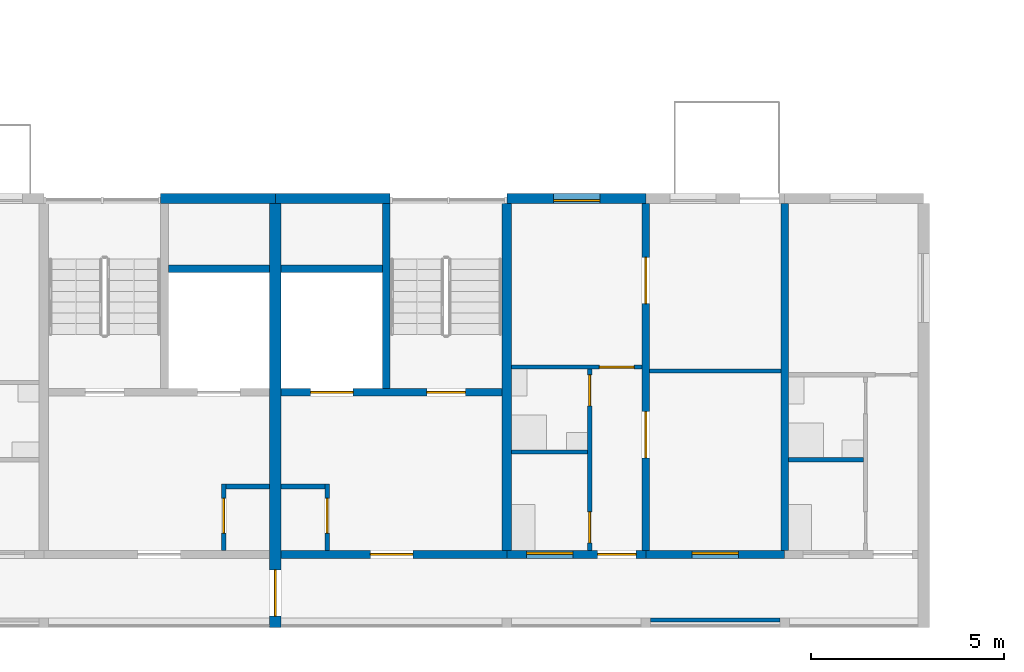
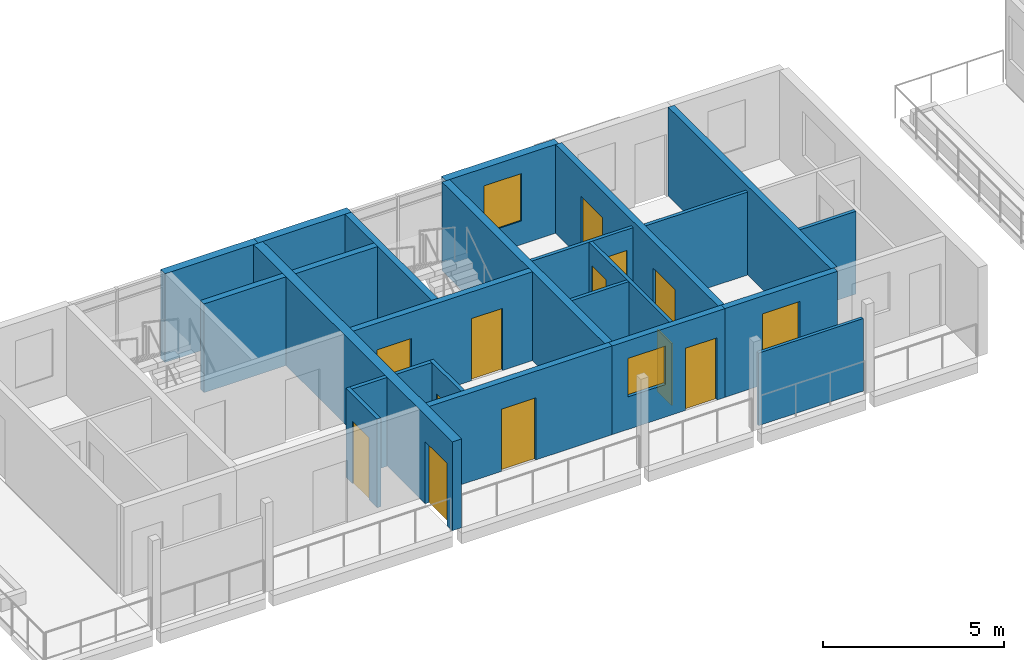
# One storey, part 25 of 64: 24 walls, 12 doors, 3 windows, 15 openings.
"""IFC4 building model written with IfcOpenShell, lengths in metres."""

from ifc_helpers import new_model, si_unit, direction, frame, frame_2d, origin, place, context, subcontext, project, spatial, rectangle, extrude, material, layer, layer_set, type_object, element, fill, save


model = new_model("IFC4")

# Units and contexts
model_context = context("Model", 3, precision=1e-05, world=origin(), true_north=direction((0.0, 1.0)))
body_context = subcontext(model_context, "Body", "Model", "MODEL_VIEW")
ifc_project = project(units=[si_unit("LENGTHUNIT", "METRE"), si_unit("AREAUNIT", "SQUARE_METRE"), si_unit("VOLUMEUNIT", "CUBIC_METRE"), si_unit("PLANEANGLEUNIT", "RADIAN"), si_unit("MASSUNIT", "GRAM", prefix="KILO")], contexts=[model_context])

# Site, building, storey
site_placement = place(None, origin())
site = spatial("IfcSite", under=ifc_project, at=site_placement, CompositionType="ELEMENT")
building_placement = place(site_placement, origin())
building = spatial("IfcBuilding", under=site, at=building_placement, Name="Ridgestep Commons", CompositionType="ELEMENT")
storey_placement = place(building_placement, frame((0.0, 0.0, 33.0)))
storey = spatial("IfcBuildingStorey", under=building, at=storey_placement, Name="L11", CompositionType="ELEMENT", Elevation=33.0)

# Wall
ifc_material_1 = material(Name="Concrete C30/37", Category="concrete")
ifc_layer_1 = layer(ifc_material_1, 0.25)
ifc_layer_set_1 = layer_set([ifc_layer_1], Name="Core cross wall 250")
wall_type_1 = type_object("IfcWallType", Name="Core cross wall 250", PredefinedType="SHEAR", material=ifc_layer_set_1)
wall_1_placement = place(storey_placement, frame((51.60009765625, 13.75, 0.0), z_axis=(0.0, 0.0, 1.0), x_axis=(0.0, 1.0, 0.0)))
element("IfcWall", 1, at=wall_1_placement, inside=storey, type_object=wall_type_1, Name="Cross wall A-11-0516", PredefinedType="SHEAR", context=body_context, shape_type="SweptSolid", body=[
    extrude(rectangle(XDim=9.0, YDim=0.25, at=frame_2d((4.5, 0.0))), origin(), (0.0, 0.0, 1.0), 3.0),
])

# Wall, opening, door
ifc_material_2 = material(Name="Concrete C30/37", Category="concrete")
ifc_layer_2 = layer(ifc_material_2, 0.199951171875)
ifc_layer_set_2 = layer_set([ifc_layer_2], Name="Core south wall 200")
wall_type_2 = type_object("IfcWallType", Name="Core south wall 200", PredefinedType="SHEAR", material=ifc_layer_set_2)
wall_2_placement = place(storey_placement, frame((45.75, 13.64990234375, 0.0), z_axis=(0.0, 0.0, 1.0), x_axis=(1.0, 0.0, 0.0)))
wall_2 = element("IfcWall", 2, at=wall_2_placement, inside=storey, type_object=wall_type_2, Name="Core south wall A3C L11", PredefinedType="SHEAR", context=body_context, shape_type="SweptSolid", body=[
    extrude(rectangle(XDim=5.85009765625, YDim=0.199951171875, at=frame_2d((2.925048828125, 0.0))), origin(), (0.0, 0.0, 1.0), 3.0),
])
opening_1_placement = place(wall_2_placement, frame((2.3125, 0.0, 0.0)))
opening_1 = element("IfcOpeningElement", 3, at=opening_1_placement, cuts=wall_2, Name="Opening A3C/11/1", PredefinedType="OPENING", context=body_context, shape_type="SweptSolid", body=[
    extrude(rectangle(XDim=1.10009765625, YDim=2.10009765625, at=frame_2d((0.550048828125, 1.050048828125))), frame((0.0, 0.10986328125, 0.0), z_axis=(0.0, -1.0, 0.0), x_axis=(1.0, 0.0, 0.0)), (0.0, 0.0, 1.0), 0.219970703125),
])
ifc_material_3 = material(Name="Steel fire door", Category="steel")
door_type_1 = type_object("IfcDoorType", Name="Lobby door 1100 x 2100 FD60", OperationType="NOTDEFINED", PredefinedType="DOOR", material=ifc_material_3)
door_1_placement = place(opening_1_placement, origin())
door_1 = element("IfcDoor", 4, at=door_1_placement, inside=storey, type_object=door_type_1, Name="Lobby door A3C/11/1", OperationType="SINGLE_SWING_LEFT", OverallHeight=2.10009765625, OverallWidth=1.10009765625, PredefinedType="DOOR", context=body_context, shape_type="SweptSolid", body=[
    extrude(rectangle(XDim=1.10009765625, YDim=2.10009765625, at=frame_2d((0.550048828125, 1.050048828125))), frame((0.0, 0.02490234375, 0.0), z_axis=(0.0, -1.0, 0.0), x_axis=(1.0, 0.0, 0.0)), (0.0, 0.0, 1.0), 0.050048828125),
])
fill(opening_1, door_1)

ifc_material_4 = material(Name="Concrete C30/37", Category="concrete")
ifc_layer_3 = layer(ifc_material_4, 0.1201171875)
ifc_layer_set_3 = layer_set([ifc_layer_3], Name="Core wall 120")
wall_type_3 = type_object("IfcWallType", Name="Core wall 120", PredefinedType="SHEAR", material=ifc_layer_set_3)
wall_3_placement = place(storey_placement, frame((44.260009765625, 13.75, 0.0), z_axis=(0.0, 0.0, 1.0), x_axis=(0.0, 1.0, 0.0)))
wall_3 = element("IfcWall", 5, at=wall_3_placement, inside=storey, type_object=wall_type_3, Name="Core riser w wall A2C L11", PredefinedType="SHEAR", context=body_context, shape_type="SweptSolid", body=[
    extrude(rectangle(XDim=1.719970703125, YDim=0.1201171875, at=frame_2d((0.85986328125, 0.0))), origin(), (0.0, 0.0, 1.0), 3.0),
])
opening_2_placement = place(wall_3_placement, frame((0.449951171875, 0.0, 0.0)))
opening_2 = element("IfcOpeningElement", 6, at=opening_2_placement, cuts=wall_3, Name="Opening A2C/11/4", PredefinedType="OPENING", context=body_context, shape_type="SweptSolid", body=[
    extrude(rectangle(XDim=0.89990234375, YDim=2.10009765625, at=frame_2d((0.449951171875, 1.050048828125))), frame((0.0, 0.070068359375, 0.0), z_axis=(0.0, -1.0, 0.0), x_axis=(1.0, 0.0, 0.0)), (0.0, 0.0, 1.0), 0.14013671875),
])
ifc_material_5 = material(Name="Steel fire door", Category="steel")
door_type_2 = type_object("IfcDoorType", Name="Riser door 900 x 2100 FD60", OperationType="NOTDEFINED", PredefinedType="DOOR", material=ifc_material_5)
door_2_placement = place(opening_2_placement, origin())
door_2 = element("IfcDoor", 7, at=door_2_placement, inside=storey, type_object=door_type_2, Name="Riser door A2C/11/4", OperationType="SINGLE_SWING_LEFT", OverallHeight=2.10009765625, OverallWidth=0.89990234375, PredefinedType="DOOR", context=body_context, shape_type="SweptSolid", body=[
    extrude(rectangle(XDim=0.89990234375, YDim=2.10009765625, at=frame_2d((0.449951171875, 1.050048828125))), frame((0.0, 0.02490234375, 0.0), z_axis=(0.0, -1.0, 0.0), x_axis=(1.0, 0.0, 0.0)), (0.0, 0.0, 1.0), 0.050048828125),
])
fill(opening_2, door_2)

# Wall
wall_4_placement = place(storey_placement, frame((44.320068359375, 15.409912109375, 0.0), z_axis=(0.0, 0.0, 1.0), x_axis=(1.0, 0.0, 0.0)))
element("IfcWall", 8, at=wall_4_placement, inside=storey, type_object=wall_type_3, Name="Core riser n wall A2C L11", PredefinedType="SHEAR", context=body_context, shape_type="SweptSolid", body=[
    extrude(rectangle(XDim=1.1298828125, YDim=0.1201171875, at=frame_2d((0.56494140625, 0.0))), origin(), (0.0, 0.0, 1.0), 3.0),
])

# Wall, opening, door
wall_5_placement = place(storey_placement, frame((46.93994140625, 13.75, 0.0), z_axis=(0.0, 0.0, 1.0), x_axis=(0.0, 1.0, 0.0)))
wall_5 = element("IfcWall", 9, at=wall_5_placement, inside=storey, type_object=wall_type_3, Name="Core riser w wall A3C L11", PredefinedType="SHEAR", context=body_context, shape_type="SweptSolid", body=[
    extrude(rectangle(XDim=1.719970703125, YDim=0.1201171875, at=frame_2d((0.85986328125, 0.0))), origin(), (0.0, 0.0, 1.0), 3.0),
])
opening_3_placement = place(wall_5_placement, frame((0.449951171875, 0.0, 0.0)))
opening_3 = element("IfcOpeningElement", 10, at=opening_3_placement, cuts=wall_5, Name="Opening A3C/11/4", PredefinedType="OPENING", context=body_context, shape_type="SweptSolid", body=[
    extrude(rectangle(XDim=0.89990234375, YDim=2.10009765625, at=frame_2d((0.449951171875, 1.050048828125))), frame((0.0, 0.070068359375, 0.0), z_axis=(0.0, -1.0, 0.0), x_axis=(1.0, 0.0, 0.0)), (0.0, 0.0, 1.0), 0.14013671875),
])
door_3_placement = place(opening_3_placement, origin())
door_3 = element("IfcDoor", 11, at=door_3_placement, inside=storey, type_object=door_type_2, Name="Riser door A3C/11/4", OperationType="SINGLE_SWING_RIGHT", OverallHeight=2.10009765625, OverallWidth=0.89990234375, PredefinedType="DOOR", context=body_context, shape_type="SweptSolid", body=[
    extrude(rectangle(XDim=0.89990234375, YDim=2.10009765625, at=frame_2d((0.449951171875, 1.050048828125))), frame((0.0, 0.02490234375, 0.0), z_axis=(0.0, -1.0, 0.0), x_axis=(1.0, 0.0, 0.0)), (0.0, 0.0, 1.0), 0.050048828125),
])
fill(opening_3, door_3)

# Walls
wall_6_placement = place(storey_placement, frame((45.75, 15.409912109375, 0.0), z_axis=(0.0, 0.0, 1.0), x_axis=(1.0, 0.0, 0.0)))
element("IfcWall", 12, at=wall_6_placement, inside=storey, type_object=wall_type_3, Name="Core riser n wall A3C L11", PredefinedType="SHEAR", context=body_context, shape_type="SweptSolid", body=[
    extrude(rectangle(XDim=1.1298828125, YDim=0.1201171875, at=frame_2d((0.56494140625, 0.0))), origin(), (0.0, 0.0, 1.0), 3.0),
])
ifc_material_6 = material(Name="Concrete C30/37", Category="concrete")
ifc_layer_4 = layer(ifc_material_6, 0.199951171875)
ifc_layer_set_4 = layer_set([ifc_layer_4], Name="Core wall 200")
wall_type_4 = type_object("IfcWallType", Name="Core wall 200", PredefinedType="SHEAR", material=ifc_layer_set_4)
wall_7_placement = place(storey_placement, frame((42.824951171875, 21.050048828125, 0.0), z_axis=(0.0, 0.0, 1.0), x_axis=(1.0, 0.0, 0.0)))
element("IfcWall", 13, at=wall_7_placement, inside=storey, type_object=wall_type_4, Name="Core duct wall A2C L11", PredefinedType="SHEAR", context=body_context, shape_type="SweptSolid", body=[
    extrude(rectangle(XDim=2.625, YDim=0.199951171875, at=frame_2d((1.3125, 0.0))), origin(), (0.0, 0.0, 1.0), 3.0),
])

# Wall, openings, doors
wall_8_placement = place(storey_placement, frame((45.75, 17.85009765625, 0.0), z_axis=(0.0, 0.0, 1.0), x_axis=(1.0, 0.0, 0.0)))
wall_8 = element("IfcWall", 14, at=wall_8_placement, inside=storey, type_object=wall_type_4, Name="Core lobby wall A3C L11", PredefinedType="SHEAR", context=body_context, shape_type="SweptSolid", body=[
    extrude(rectangle(XDim=5.72509765625, YDim=0.199951171875, at=frame_2d((2.862548828125, 0.0))), origin(), (0.0, 0.0, 1.0), 3.0),
])
opening_4_placement = place(wall_8_placement, frame((3.77490234375, 0.0, 0.0)))
opening_4 = element("IfcOpeningElement", 15, at=opening_4_placement, cuts=wall_8, Name="Opening A3C/11/2", PredefinedType="OPENING", context=body_context, shape_type="SweptSolid", body=[
    extrude(rectangle(XDim=1.0, YDim=2.10009765625, at=frame_2d((0.5, 1.050048828125))), frame((0.0, 0.10986328125, 0.0), z_axis=(0.0, -1.0, 0.0), x_axis=(1.0, 0.0, 0.0)), (0.0, 0.0, 1.0), 0.219970703125),
])
opening_5_placement = place(wall_8_placement, frame((0.762451171875, 0.0, 0.0)))
opening_5 = element("IfcOpeningElement", 16, at=opening_5_placement, cuts=wall_8, Name="Opening A3C/11/3", PredefinedType="OPENING", context=body_context, shape_type="SweptSolid", body=[
    extrude(rectangle(XDim=1.10009765625, YDim=2.10009765625, at=frame_2d((0.550048828125, 1.050048828125))), frame((0.0, 0.10986328125, 0.0), z_axis=(0.0, -1.0, 0.0), x_axis=(1.0, 0.0, 0.0)), (0.0, 0.0, 1.0), 0.219970703125),
])
ifc_material_7 = material(Name="Stainless steel", Category="steel")
door_type_3 = type_object("IfcDoorType", Name="Lift landing door 1100 x 2100 FD60", OperationType="DOUBLE_DOOR_SLIDING", PredefinedType="DOOR", material=ifc_material_7)
door_4_placement = place(opening_5_placement, origin())
door_4 = element("IfcDoor", 17, at=door_4_placement, inside=storey, type_object=door_type_3, Name="Landing door LD A3C L11", OperationType="DOUBLE_DOOR_SLIDING", OverallHeight=2.10009765625, OverallWidth=1.10009765625, PredefinedType="DOOR", context=body_context, shape_type="SweptSolid", body=[
    extrude(rectangle(XDim=1.10009765625, YDim=2.10009765625, at=frame_2d((0.550048828125, 1.050048828125))), frame((0.0, 0.02490234375, 0.0), z_axis=(0.0, -1.0, 0.0), x_axis=(1.0, 0.0, 0.0)), (0.0, 0.0, 1.0), 0.050048828125),
])
fill(opening_5, door_4)
ifc_material_8 = material(Name="Steel fire door", Category="steel")
door_type_4 = type_object("IfcDoorType", Name="Stair door 1000 x 2100 FD60", OperationType="NOTDEFINED", PredefinedType="DOOR", material=ifc_material_8)
door_5_placement = place(opening_4_placement, origin())
door_5 = element("IfcDoor", 18, at=door_5_placement, inside=storey, type_object=door_type_4, Name="Stair door A3C/11/2", OperationType="SINGLE_SWING_RIGHT", OverallHeight=2.10009765625, OverallWidth=1.0, PredefinedType="DOOR", context=body_context, shape_type="SweptSolid", body=[
    extrude(rectangle(XDim=1.0, YDim=2.10009765625, at=frame_2d((0.5, 1.050048828125))), frame((0.0, 0.02490234375, 0.0), z_axis=(0.0, -1.0, 0.0), x_axis=(1.0, 0.0, 0.0)), (0.0, 0.0, 1.0), 0.050048828125),
])
fill(opening_4, door_5)

# Walls
wall_9_placement = place(storey_placement, frame((48.47509765625, 17.949951171875, 0.0), z_axis=(0.0, 0.0, 1.0), x_axis=(0.0, 1.0, 0.0)))
element("IfcWall", 19, at=wall_9_placement, inside=storey, type_object=wall_type_4, Name="Core stair wall A3C L11", PredefinedType="SHEAR", context=body_context, shape_type="SweptSolid", body=[
    extrude(rectangle(XDim=4.800048828125, YDim=0.199951171875, at=frame_2d((2.39990234375, 0.0))), origin(), (0.0, 0.0, 1.0), 3.0),
])
wall_10_placement = place(storey_placement, frame((45.75, 21.050048828125, 0.0), z_axis=(0.0, 0.0, 1.0), x_axis=(1.0, 0.0, 0.0)))
element("IfcWall", 20, at=wall_10_placement, inside=storey, type_object=wall_type_4, Name="Core duct wall A3C L11", PredefinedType="SHEAR", context=body_context, shape_type="SweptSolid", body=[
    extrude(rectangle(XDim=2.625, YDim=0.199951171875, at=frame_2d((1.3125, 0.0))), origin(), (0.0, 0.0, 1.0), 3.0),
])

# Wall, openings, doors
ifc_material_9 = material(Name="Precast concrete C40/50", Category="concrete")
ifc_layer_5 = layer(ifc_material_9, 0.199951171875)
ifc_layer_set_5 = layer_set([ifc_layer_5], Name="Cross wall 200")
wall_type_5 = type_object("IfcWallType", Name="Cross wall 200", PredefinedType="SHEAR", material=ifc_layer_set_5)
wall_11_placement = place(storey_placement, frame((55.199951171875, 13.75, 0.0), z_axis=(0.0, 0.0, 1.0), x_axis=(0.0, 1.0, 0.0)))
wall_11 = element("IfcWall", 21, at=wall_11_placement, inside=storey, type_object=wall_type_5, Name="Cross wall A-11-0552", PredefinedType="SHEAR", context=body_context, shape_type="SweptSolid", body=[
    extrude(rectangle(XDim=9.0, YDim=0.199951171875, at=frame_2d((4.5, 0.0))), origin(), (0.0, 0.0, 1.0), 3.0),
])
opening_6_placement = place(wall_11_placement, frame((2.39990234375, 0.0, 0.0)))
opening_6 = element("IfcOpeningElement", 22, at=opening_6_placement, cuts=wall_11, Name="Opening A3-11b/5", PredefinedType="OPENING", context=body_context, shape_type="SweptSolid", body=[
    extrude(rectangle(XDim=1.199951171875, YDim=2.10009765625, at=frame_2d((0.60009765625, 1.050048828125))), frame((0.0, 0.10986328125, 0.0), z_axis=(0.0, -1.0, 0.0), x_axis=(1.0, 0.0, 0.0)), (0.0, 0.0, 1.0), 0.219970703125),
])
opening_7_placement = place(wall_11_placement, frame((6.39990234375, 0.0, 0.0)))
opening_7 = element("IfcOpeningElement", 23, at=opening_7_placement, cuts=wall_11, Name="Opening A3-11b/6", PredefinedType="OPENING", context=body_context, shape_type="SweptSolid", body=[
    extrude(rectangle(XDim=1.199951171875, YDim=2.10009765625, at=frame_2d((0.60009765625, 1.050048828125))), frame((0.0, 0.10986328125, 0.0), z_axis=(0.0, -1.0, 0.0), x_axis=(1.0, 0.0, 0.0)), (0.0, 0.0, 1.0), 0.219970703125),
])
ifc_material_10 = material(Name="Timber door leaf", Category="wood")
door_type_5 = type_object("IfcDoorType", Name="Double door 1200 x 2100", OperationType="DOUBLE_DOOR_SINGLE_SWING", PredefinedType="DOOR", material=ifc_material_10)
door_6_placement = place(opening_6_placement, origin())
door_6 = element("IfcDoor", 24, at=door_6_placement, inside=storey, type_object=door_type_5, Name="Double door A3-11b/5", OperationType="DOUBLE_DOOR_SINGLE_SWING", OverallHeight=2.10009765625, OverallWidth=1.199951171875, PredefinedType="DOOR", context=body_context, shape_type="SweptSolid", body=[
    extrude(rectangle(XDim=1.199951171875, YDim=2.10009765625, at=frame_2d((0.60009765625, 1.050048828125))), frame((0.0, 0.02490234375, 0.0), z_axis=(0.0, -1.0, 0.0), x_axis=(1.0, 0.0, 0.0)), (0.0, 0.0, 1.0), 0.050048828125),
])
fill(opening_6, door_6)
door_7_placement = place(opening_7_placement, origin())
door_7 = element("IfcDoor", 25, at=door_7_placement, inside=storey, type_object=door_type_5, Name="Double door A3-11b/6", OperationType="DOUBLE_DOOR_SINGLE_SWING", OverallHeight=2.10009765625, OverallWidth=1.199951171875, PredefinedType="DOOR", context=body_context, shape_type="SweptSolid", body=[
    extrude(rectangle(XDim=1.199951171875, YDim=2.10009765625, at=frame_2d((0.60009765625, 1.050048828125))), frame((0.0, 0.02490234375, 0.0), z_axis=(0.0, -1.0, 0.0), x_axis=(1.0, 0.0, 0.0)), (0.0, 0.0, 1.0), 0.050048828125),
])
fill(opening_7, door_7)

# Wall
wall_12_placement = place(storey_placement, frame((58.800048828125, 13.75, 0.0), z_axis=(0.0, 0.0, 1.0), x_axis=(0.0, 1.0, 0.0)))
element("IfcWall", 26, at=wall_12_placement, inside=storey, type_object=wall_type_5, Name="Cross wall A-11-0588", PredefinedType="SHEAR", context=body_context, shape_type="SweptSolid", body=[
    extrude(rectangle(XDim=9.0, YDim=0.199951171875, at=frame_2d((4.5, 0.0))), origin(), (0.0, 0.0, 1.0), 3.0),
])

# Wall, opening, door
ifc_material_11 = material(Name="Precast concrete C40/50", Category="concrete")
ifc_layer_6 = layer(ifc_material_11, 0.300048828125)
ifc_layer_set_6 = layer_set([ifc_layer_6], Name="Division wall 300")
wall_type_6 = type_object("IfcWallType", Name="Division wall 300", PredefinedType="SHEAR", material=ifc_layer_set_6)
wall_13_placement = place(storey_placement, frame((45.60009765625, 11.75, 0.0), z_axis=(0.0, 0.0, 1.0), x_axis=(0.0, 1.0, 0.0)))
wall_13 = element("IfcWall", 27, at=wall_13_placement, inside=storey, type_object=wall_type_6, Name="Cross wall A-11-0456", PredefinedType="SHEAR", context=body_context, shape_type="SweptSolid", body=[
    extrude(rectangle(XDim=11.0, YDim=0.300048828125, at=frame_2d((5.5, 0.0))), origin(), (0.0, 0.0, 1.0), 3.0),
])
opening_8_placement = place(wall_13_placement, frame((0.300048828125, 0.0, 0.0)))
opening_8 = element("IfcOpeningElement", 28, at=opening_8_placement, cuts=wall_13, Name="Opening A/11/G0456", PredefinedType="OPENING", context=body_context, shape_type="SweptSolid", body=[
    extrude(rectangle(XDim=1.199951171875, YDim=2.10009765625, at=frame_2d((0.60009765625, 1.050048828125))), frame((0.0, 0.159912109375, 0.0), z_axis=(0.0, -1.0, 0.0), x_axis=(1.0, 0.0, 0.0)), (0.0, 0.0, 1.0), 0.320068359375),
])
ifc_material_12 = material(Name="Steel fire door", Category="steel")
door_type_6 = type_object("IfcDoorType", Name="Division fire door 1200 x 2100 EI 240", OperationType="DOUBLE_DOOR_SINGLE_SWING", PredefinedType="DOOR", material=ifc_material_12)
door_8_placement = place(opening_8_placement, origin())
door_8 = element("IfcDoor", 29, at=door_8_placement, inside=storey, type_object=door_type_6, Name="Division fire door A/11/G0456", OperationType="DOUBLE_DOOR_SINGLE_SWING", OverallHeight=2.10009765625, OverallWidth=1.199951171875, PredefinedType="DOOR", context=body_context, shape_type="SweptSolid", body=[
    extrude(rectangle(XDim=1.199951171875, YDim=2.10009765625, at=frame_2d((0.60009765625, 1.050048828125))), frame((0.0, 0.02490234375, 0.0), z_axis=(0.0, -1.0, 0.0), x_axis=(1.0, 0.0, 0.0)), (0.0, 0.0, 1.0), 0.050048828125),
])
fill(opening_8, door_8)

# Walls
ifc_material_13 = material(Name="Precast concrete C40/50", Category="concrete")
ifc_layer_7 = layer(ifc_material_13, 0.25)
ifc_layer_set_7 = layer_set([ifc_layer_7], Name="North facade panel 250")
wall_type_7 = type_object("IfcWallType", Name="North facade panel 250", PredefinedType="SOLIDWALL", material=ifc_layer_set_7)
wall_14_placement = place(storey_placement, frame((42.625, 22.875, 0.0), z_axis=(0.0, 0.0, 1.0), x_axis=(1.0, 0.0, 0.0)))
element("IfcWall", 30, at=wall_14_placement, inside=storey, type_object=wall_type_7, Name="North panel A2C L11", PredefinedType="SOLIDWALL", context=body_context, shape_type="SweptSolid", body=[
    extrude(rectangle(XDim=2.97509765625, YDim=0.25, at=frame_2d((1.487548828125, 0.0))), origin(), (0.0, 0.0, 1.0), 3.0),
])
wall_15_placement = place(storey_placement, frame((45.60009765625, 22.875, 0.0), z_axis=(0.0, 0.0, 1.0), x_axis=(1.0, 0.0, 0.0)))
element("IfcWall", 31, at=wall_15_placement, inside=storey, type_object=wall_type_7, Name="North panel A3C L11", PredefinedType="SOLIDWALL", context=body_context, shape_type="SweptSolid", body=[
    extrude(rectangle(XDim=2.974853515625, YDim=0.25, at=frame_2d((1.4873046875, 0.0))), origin(), (0.0, 0.0, 1.0), 3.0),
])

# Wall, opening, window
wall_16_placement = place(storey_placement, frame((51.60009765625, 22.875, 0.0), z_axis=(0.0, 0.0, 1.0), x_axis=(1.0, 0.0, 0.0)))
wall_16 = element("IfcWall", 32, at=wall_16_placement, inside=storey, type_object=wall_type_7, Name="North panel A3T3 L11", PredefinedType="SOLIDWALL", context=body_context, shape_type="SweptSolid", body=[
    extrude(rectangle(XDim=3.599853515625, YDim=0.25, at=frame_2d((1.7998046875, 0.0))), origin(), (0.0, 0.0, 1.0), 3.0),
])
opening_9_placement = place(wall_16_placement, frame((1.21240234375, 0.0, 0.800048828125)))
opening_9 = element("IfcOpeningElement", 33, at=opening_9_placement, cuts=wall_16, Name="Opening W11", PredefinedType="OPENING", context=body_context, shape_type="SweptSolid", body=[
    extrude(rectangle(XDim=1.199951171875, YDim=1.60009765625, at=frame_2d((0.60009765625, 0.800048828125))), frame((0.0, 0.135009765625, 0.0), z_axis=(0.0, -1.0, 0.0), x_axis=(1.0, 0.0, 0.0)), (0.0, 0.0, 1.0), 0.27001953125),
])
ifc_material_14 = material(Name="Aluminium 6063-T6 and glass", Category="aluminium")
window_type_1 = type_object("IfcWindowType", Name="Flat window 1200 x 1600", PartitioningType="SINGLE_PANEL", PredefinedType="WINDOW", material=ifc_material_14)
window_1_placement = place(opening_9_placement, origin())
window_1 = element("IfcWindow", 34, at=window_1_placement, inside=storey, type_object=window_type_1, Name="Window A3-11b 4", OverallHeight=1.60009765625, OverallWidth=1.199951171875, PartitioningType="SINGLE_PANEL", PredefinedType="WINDOW", context=body_context, shape_type="SweptSolid", body=[
    extrude(rectangle(XDim=1.199951171875, YDim=1.60009765625, at=frame_2d((0.60009765625, 0.800048828125))), frame((0.0, -0.02490234375, 0.0), z_axis=(0.0, -1.0, 0.0), x_axis=(1.0, 0.0, 0.0)), (0.0, 0.0, 1.0), 0.06005859375),
])
fill(opening_9, window_1)

# Walls
ifc_material_15 = material(Name="Common brick 110 mm", Category="masonry")
ifc_layer_8 = layer(ifc_material_15, 0.110107421875)
ifc_layer_set_8 = layer_set([ifc_layer_8], Name="Partition 110")
wall_type_8 = type_object("IfcWallType", Name="Partition 110", PredefinedType="PARTITIONING", material=ifc_layer_set_8)
wall_17_placement = place(storey_placement, frame((58.89990234375, 16.10498046875, 0.0), z_axis=(0.0, 0.0, 1.0), x_axis=(1.0, 0.0, 0.0)))
element("IfcWall", 35, at=wall_17_placement, inside=storey, type_object=wall_type_8, Name="Partition A3-11a", PredefinedType="PARTITIONING", context=body_context, shape_type="SweptSolid", body=[
    extrude(rectangle(XDim=1.940185546875, YDim=0.110107421875, at=frame_2d((0.97021484375, 0.0))), origin(), (0.0, 0.0, 1.0), 2.800048828125),
])
wall_18_placement = place(storey_placement, frame((51.72509765625, 16.304931640625, 0.0), z_axis=(0.0, 0.0, 1.0), x_axis=(1.0, 0.0, 0.0)))
element("IfcWall", 36, at=wall_18_placement, inside=storey, type_object=wall_type_8, Name="Partition A3-11b", PredefinedType="PARTITIONING", context=body_context, shape_type="SweptSolid", body=[
    extrude(rectangle(XDim=1.96484375, YDim=0.110107421875, at=frame_2d((0.982421875, 0.0))), origin(), (0.0, 0.0, 1.0), 2.800048828125),
])

# Wall, openings, doors
wall_19_placement = place(storey_placement, frame((53.7451171875, 13.75, 0.0), z_axis=(0.0, 0.0, 1.0), x_axis=(0.0, 1.0, 0.0)))
wall_19 = element("IfcWall", 37, at=wall_19_placement, inside=storey, type_object=wall_type_8, Name="Partition A3-11b", PredefinedType="PARTITIONING", context=body_context, shape_type="SweptSolid", body=[
    extrude(rectangle(XDim=4.699951171875, YDim=0.110107421875, at=frame_2d((2.35009765625, 0.0))), origin(), (0.0, 0.0, 1.0), 2.800048828125),
])
opening_10_placement = place(wall_19_placement, frame((0.199951171875, 0.0, 0.0)))
opening_10 = element("IfcOpeningElement", 38, at=opening_10_placement, cuts=wall_19, Name="Opening A3-11b/2", PredefinedType="OPENING", context=body_context, shape_type="SweptSolid", body=[
    extrude(rectangle(XDim=0.800048828125, YDim=2.10009765625, at=frame_2d((0.39990234375, 1.050048828125))), frame((0.0, 0.06494140625, 0.0), z_axis=(0.0, -1.0, 0.0), x_axis=(1.0, 0.0, 0.0)), (0.0, 0.0, 1.0), 0.130126953125),
])
opening_11_placement = place(wall_19_placement, frame((3.75, 0.0, 0.0)))
opening_11 = element("IfcOpeningElement", 39, at=opening_11_placement, cuts=wall_19, Name="Opening A3-11b/3", PredefinedType="OPENING", context=body_context, shape_type="SweptSolid", body=[
    extrude(rectangle(XDim=0.800048828125, YDim=2.10009765625, at=frame_2d((0.39990234375, 1.050048828125))), frame((0.0, 0.06494140625, 0.0), z_axis=(0.0, -1.0, 0.0), x_axis=(1.0, 0.0, 0.0)), (0.0, 0.0, 1.0), 0.130126953125),
])
ifc_material_16 = material(Name="Timber door leaf", Category="wood")
door_type_7 = type_object("IfcDoorType", Name="Internal door 800 x 2100", OperationType="NOTDEFINED", PredefinedType="DOOR", material=ifc_material_16)
door_9_placement = place(opening_10_placement, origin())
door_9 = element("IfcDoor", 40, at=door_9_placement, inside=storey, type_object=door_type_7, Name="Internal door A3-11b/2", OperationType="SINGLE_SWING_LEFT", OverallHeight=2.10009765625, OverallWidth=0.800048828125, PredefinedType="DOOR", context=body_context, shape_type="SweptSolid", body=[
    extrude(rectangle(XDim=0.800048828125, YDim=2.10009765625, at=frame_2d((0.39990234375, 1.050048828125))), frame((0.0, 0.02490234375, 0.0), z_axis=(0.0, -1.0, 0.0), x_axis=(1.0, 0.0, 0.0)), (0.0, 0.0, 1.0), 0.050048828125),
])
fill(opening_10, door_9)
door_10_placement = place(opening_11_placement, origin())
door_10 = element("IfcDoor", 41, at=door_10_placement, inside=storey, type_object=door_type_7, Name="Internal door A3-11b/3", OperationType="SINGLE_SWING_RIGHT", OverallHeight=2.10009765625, OverallWidth=0.800048828125, PredefinedType="DOOR", context=body_context, shape_type="SweptSolid", body=[
    extrude(rectangle(XDim=0.800048828125, YDim=2.10009765625, at=frame_2d((0.39990234375, 1.050048828125))), frame((0.0, 0.02490234375, 0.0), z_axis=(0.0, -1.0, 0.0), x_axis=(1.0, 0.0, 0.0)), (0.0, 0.0, 1.0), 0.050048828125),
])
fill(opening_11, door_10)

# Wall, opening, door
wall_20_placement = place(storey_placement, frame((51.72509765625, 18.5048828125, 0.0), z_axis=(0.0, 0.0, 1.0), x_axis=(1.0, 0.0, 0.0)))
wall_20 = element("IfcWall", 42, at=wall_20_placement, inside=storey, type_object=wall_type_8, Name="Partition A3-11b", PredefinedType="PARTITIONING", context=body_context, shape_type="SweptSolid", body=[
    extrude(rectangle(XDim=3.375, YDim=0.110107421875, at=frame_2d((1.6875, 0.0))), origin(), (0.0, 0.0, 1.0), 2.800048828125),
])
opening_12_placement = place(wall_20_placement, frame((2.27490234375, 0.0, 0.0)))
opening_12 = element("IfcOpeningElement", 43, at=opening_12_placement, cuts=wall_20, Name="Opening A3-11b/4", PredefinedType="OPENING", context=body_context, shape_type="SweptSolid", body=[
    extrude(rectangle(XDim=0.89990234375, YDim=2.10009765625, at=frame_2d((0.449951171875, 1.050048828125))), frame((0.0, 0.06494140625, 0.0), z_axis=(0.0, -1.0, 0.0), x_axis=(1.0, 0.0, 0.0)), (0.0, 0.0, 1.0), 0.130126953125),
])
ifc_material_17 = material(Name="Timber door leaf", Category="wood")
door_type_8 = type_object("IfcDoorType", Name="Internal door 900 x 2100", OperationType="NOTDEFINED", PredefinedType="DOOR", material=ifc_material_17)
door_11_placement = place(opening_12_placement, origin())
door_11 = element("IfcDoor", 44, at=door_11_placement, inside=storey, type_object=door_type_8, Name="Internal door A3-11b/4", OperationType="SINGLE_SWING_LEFT", OverallHeight=2.10009765625, OverallWidth=0.89990234375, PredefinedType="DOOR", context=body_context, shape_type="SweptSolid", body=[
    extrude(rectangle(XDim=0.89990234375, YDim=2.10009765625, at=frame_2d((0.449951171875, 1.050048828125))), frame((0.0, 0.02490234375, 0.0), z_axis=(0.0, -1.0, 0.0), x_axis=(1.0, 0.0, 0.0)), (0.0, 0.0, 1.0), 0.050048828125),
])
fill(opening_12, door_11)

# Walls
wall_21_placement = place(storey_placement, frame((55.300048828125, 18.405029296875, 0.0), z_axis=(0.0, 0.0, 1.0), x_axis=(1.0, 0.0, 0.0)))
element("IfcWall", 45, at=wall_21_placement, inside=storey, type_object=wall_type_8, Name="Partition A3-11b", PredefinedType="PARTITIONING", context=body_context, shape_type="SweptSolid", body=[
    extrude(rectangle(XDim=3.39990234375, YDim=0.110107421875, at=frame_2d((1.699951171875, 0.0))), origin(), (0.0, 0.0, 1.0), 2.800048828125),
])
ifc_material_18 = material(Name="Precast concrete C30/37", Category="concrete")
ifc_layer_9 = layer(ifc_material_18, 0.10009765625)
ifc_layer_set_9 = layer_set([ifc_layer_9], Name="Perforated gallery screen 3350 x 2450 x 100")
wall_type_9 = type_object("IfcWallType", Name="Perforated gallery screen 3350 x 2450 x 100", PredefinedType="SOLIDWALL", material=ifc_layer_set_9)
wall_22_placement = place(storey_placement, frame((55.324951171875, 11.949951171875, 0.0), z_axis=(0.0, 0.0, 1.0), x_axis=(1.0, 0.0, 0.0)))
element("IfcWall", 46, at=wall_22_placement, inside=storey, type_object=wall_type_9, Name="Gallery screen A3T2 11", PredefinedType="SOLIDWALL", context=body_context, shape_type="SweptSolid", body=[
    extrude(rectangle(XDim=3.35009765625, YDim=0.10009765625, at=frame_2d((1.675048828125, 0.0))), origin(), (0.0, 0.0, 1.0), 2.449951171875),
])

# Wall, openings, door, window
ifc_material_19 = material(Name="Precast concrete C40/50", Category="concrete")
ifc_layer_10 = layer(ifc_material_19, 0.199951171875)
ifc_layer_set_10 = layer_set([ifc_layer_10], Name="South facade panel 200")
wall_type_10 = type_object("IfcWallType", Name="South facade panel 200", PredefinedType="SOLIDWALL", material=ifc_layer_set_10)
wall_23_placement = place(storey_placement, frame((51.60009765625, 13.64990234375, 0.0), z_axis=(0.0, 0.0, 1.0), x_axis=(1.0, 0.0, 0.0)))
wall_23 = element("IfcWall", 47, at=wall_23_placement, inside=storey, type_object=wall_type_10, Name="South panel A3T3 L11", PredefinedType="SOLIDWALL", context=body_context, shape_type="SweptSolid", body=[
    extrude(rectangle(XDim=3.599853515625, YDim=0.199951171875, at=frame_2d((1.7998046875, 0.0))), origin(), (0.0, 0.0, 1.0), 3.0),
])
opening_13_placement = place(wall_23_placement, frame((0.507568359375, 0.0, 1.10009765625)))
opening_13 = element("IfcOpeningElement", 48, at=opening_13_placement, cuts=wall_23, Name="Opening W08", PredefinedType="OPENING", context=body_context, shape_type="SweptSolid", body=[
    extrude(rectangle(XDim=1.199951171875, YDim=1.300048828125, at=frame_2d((0.60009765625, 0.64990234375))), frame((0.0, 0.10986328125, 0.0), z_axis=(0.0, -1.0, 0.0), x_axis=(1.0, 0.0, 0.0)), (0.0, 0.0, 1.0), 0.219970703125),
])
opening_14_placement = place(wall_23_placement, frame((2.35009765625, 0.0, 0.0)))
opening_14 = element("IfcOpeningElement", 49, at=opening_14_placement, cuts=wall_23, Name="Opening A3-11b/1", PredefinedType="OPENING", context=body_context, shape_type="SweptSolid", body=[
    extrude(rectangle(XDim=1.0, YDim=2.10009765625, at=frame_2d((0.5, 1.050048828125))), frame((0.0, 0.10986328125, 0.0), z_axis=(0.0, -1.0, 0.0), x_axis=(1.0, 0.0, 0.0)), (0.0, 0.0, 1.0), 0.219970703125),
])
ifc_material_20 = material(Name="Timber door leaf", Category="wood")
door_type_9 = type_object("IfcDoorType", Name="Flat entrance door 1000 x 2100 FD30S", OperationType="NOTDEFINED", PredefinedType="DOOR", material=ifc_material_20)
door_12_placement = place(opening_14_placement, origin())
door_12 = element("IfcDoor", 50, at=door_12_placement, inside=storey, type_object=door_type_9, Name="Flat entrance door A3-11b/1", OperationType="SINGLE_SWING_RIGHT", OverallHeight=2.10009765625, OverallWidth=1.0, PredefinedType="DOOR", context=body_context, shape_type="SweptSolid", body=[
    extrude(rectangle(XDim=1.0, YDim=2.10009765625, at=frame_2d((0.5, 1.050048828125))), frame((0.0, 0.02490234375, 0.0), z_axis=(0.0, -1.0, 0.0), x_axis=(1.0, 0.0, 0.0)), (0.0, 0.0, 1.0), 0.050048828125),
])
fill(opening_14, door_12)
ifc_material_21 = material(Name="Aluminium 6063-T6 and glass", Category="aluminium")
window_type_2 = type_object("IfcWindowType", Name="Flat window 1200 x 1300", PartitioningType="SINGLE_PANEL", PredefinedType="WINDOW", material=ifc_material_21)
window_2_placement = place(opening_13_placement, origin())
window_2 = element("IfcWindow", 51, at=window_2_placement, inside=storey, type_object=window_type_2, Name="Window A3-11b 3", OverallHeight=1.300048828125, OverallWidth=1.199951171875, PartitioningType="SINGLE_PANEL", PredefinedType="WINDOW", context=body_context, shape_type="SweptSolid", body=[
    extrude(rectangle(XDim=1.199951171875, YDim=1.300048828125, at=frame_2d((0.60009765625, 0.64990234375))), frame((0.0, 0.06005859375, 0.0), z_axis=(0.0, -1.0, 0.0), x_axis=(1.0, 0.0, 0.0)), (0.0, 0.0, 1.0), 0.06005859375),
])
fill(opening_13, window_2)

# Wall, opening, window
wall_24_placement = place(storey_placement, frame((55.199951171875, 13.64990234375, 0.0), z_axis=(0.0, 0.0, 1.0), x_axis=(1.0, 0.0, 0.0)))
wall_24 = element("IfcWall", 52, at=wall_24_placement, inside=storey, type_object=wall_type_10, Name="South panel A3T2 L11", PredefinedType="SOLIDWALL", context=body_context, shape_type="SweptSolid", body=[
    extrude(rectangle(XDim=3.60009765625, YDim=0.199951171875, at=frame_2d((1.800048828125, 0.0))), origin(), (0.0, 0.0, 1.0), 3.0),
])
opening_15_placement = place(wall_24_placement, frame((1.199951171875, 0.0, 0.800048828125)))
opening_15 = element("IfcOpeningElement", 53, at=opening_15_placement, cuts=wall_24, Name="Opening W11", PredefinedType="OPENING", context=body_context, shape_type="SweptSolid", body=[
    extrude(rectangle(XDim=1.199951171875, YDim=1.60009765625, at=frame_2d((0.60009765625, 0.800048828125))), frame((0.0, 0.10986328125, 0.0), z_axis=(0.0, -1.0, 0.0), x_axis=(1.0, 0.0, 0.0)), (0.0, 0.0, 1.0), 0.219970703125),
])
window_3_placement = place(opening_15_placement, origin())
window_3 = element("IfcWindow", 54, at=window_3_placement, inside=storey, type_object=window_type_1, Name="Window A3-11b 1", OverallHeight=1.60009765625, OverallWidth=1.199951171875, PartitioningType="SINGLE_PANEL", PredefinedType="WINDOW", context=body_context, shape_type="SweptSolid", body=[
    extrude(rectangle(XDim=1.199951171875, YDim=1.60009765625, at=frame_2d((0.60009765625, 0.800048828125))), frame((0.0, 0.06005859375, 0.0), z_axis=(0.0, -1.0, 0.0), x_axis=(1.0, 0.0, 0.0)), (0.0, 0.0, 1.0), 0.06005859375),
])
fill(opening_15, window_3)

save(model, "model.ifc")
